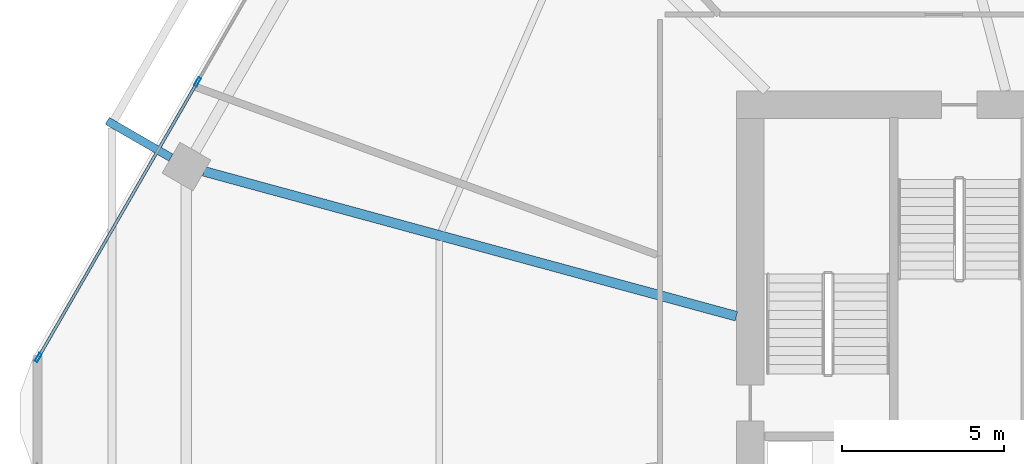
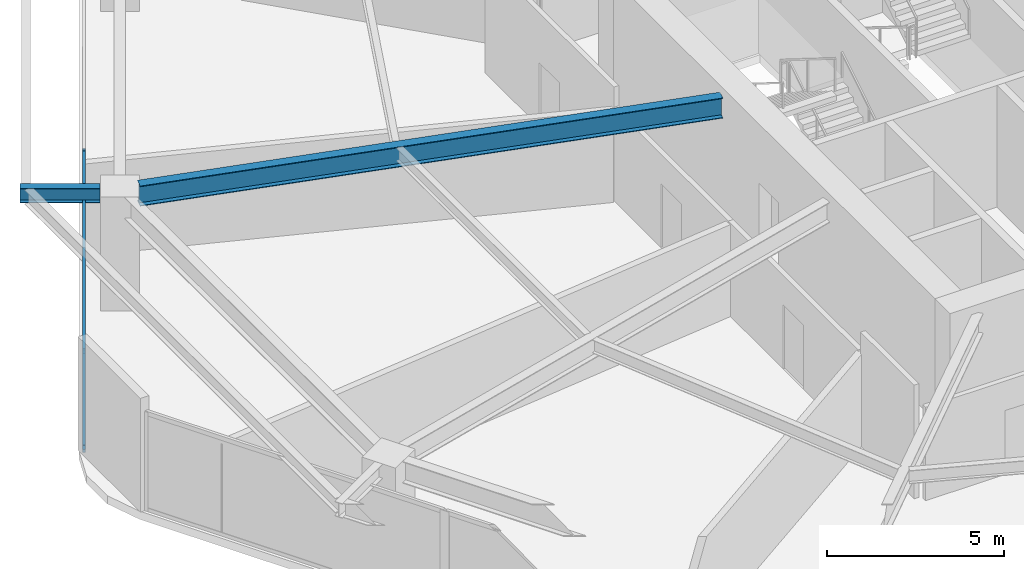
# One storey, part 13 of 28: 4 members, 2 beams, 1 element without a shape of its own.
"""IFC4 building model written with IfcOpenShell, lengths in metres."""

from ifc_helpers import new_model, si_unit, direction, frame, origin, origin_2d, place, context, subcontext, project, spatial, hollow_rectangle, i_section, extrude, material, material_profile, profile_set, type_object, element, aggregate, save


model = new_model("IFC4")

# Units and contexts
model_context = context("Model", 3, precision=1e-05, world=origin(), true_north=direction((0.0, 1.0)))
body_context = subcontext(model_context, "Body", "Model", "MODEL_VIEW")
ifc_project = project(units=[si_unit("LENGTHUNIT", "METRE"), si_unit("AREAUNIT", "SQUARE_METRE"), si_unit("VOLUMEUNIT", "CUBIC_METRE"), si_unit("PLANEANGLEUNIT", "RADIAN"), si_unit("MASSUNIT", "GRAM", prefix="KILO")], contexts=[model_context])

# Site, building, storey
site_placement = place(None, origin())
site = spatial("IfcSite", under=ifc_project, at=site_placement, CompositionType="ELEMENT")
building_placement = place(site_placement, origin())
building = spatial("IfcBuilding", under=site, at=building_placement, Name="Zuhravey Tower", CompositionType="ELEMENT")
storey_placement = place(building_placement, frame((0.0, 0.0, 79.199951171875)))
storey = spatial("IfcBuildingStorey", under=building, at=storey_placement, Name="L19", CompositionType="ELEMENT", Elevation=79.199951171875)

# Curtain wall, members
ifc_material_1 = material(Name="Thermally broken anodised aluminium", Category="aluminium")
curtain_wall_type = type_object("IfcCurtainWallType", Name="School Low-E Unitised Curtain Wall CW1", PredefinedType="NOTDEFINED", material=ifc_material_1)
curtain_wall_placement = place(storey_placement, origin())
curtain_wall = element("IfcCurtainWall", 1, at=curtain_wall_placement, inside=storey, type_object=curtain_wall_type, Name="L19 CW1 CW-L19-F3-1", PredefinedType="NOTDEFINED")
ifc_material_2 = material(Name="Anodised aluminium", Category="aluminium")
ifc_material_profile_1 = material_profile(ifc_material_2, hollow_rectangle(XDim=0.090087890625, YDim=0.284912109375, WallThickness=0.0048828125, at=origin_2d()), Name="ALU-RHS-90x285x5")
ifc_profile_set_1 = profile_set([ifc_material_profile_1], Name="Anodised aluminium")
member_type_1 = type_object("IfcMemberType", Name="Curtain-Wall Mullion 90x180", PredefinedType="MULLION", material=ifc_profile_set_1)
member_1_placement = place(storey_placement, frame((3.5439453125, 33.701416015625, 0.0), z_axis=(0.0, 0.0, 1.0), x_axis=(-0.86602552265, 0.499999794119, 0.0)))
member_1 = element("IfcMember", 2, at=member_1_placement, type_object=member_type_1, Name="CW1 mullion 1", PredefinedType="MULLION", context=body_context, shape_type="SweptSolid", body=[
    extrude(hollow_rectangle(XDim=0.090087890625, YDim=0.284912109375, WallThickness=0.0048828125, at=origin_2d()), origin(), (0.0, 0.0, 1.0), 3.420166015625),
])
member_2_placement = place(storey_placement, frame((8.45458984375, 42.20703125, 0.0), z_axis=(0.0, 0.0, 1.0), x_axis=(-0.86602552265, 0.499999794119, 0.0)))
member_2 = element("IfcMember", 3, at=member_2_placement, type_object=member_type_1, Name="CW1 mullion 2", PredefinedType="MULLION", context=body_context, shape_type="SweptSolid", body=[
    extrude(hollow_rectangle(XDim=0.090087890625, YDim=0.284912109375, WallThickness=0.0048828125, at=origin_2d()), origin(), (0.0, 0.0, 1.0), 3.420166015625),
])
ifc_material_profile_2 = material_profile(ifc_material_2, hollow_rectangle(XDim=0.090087890625, YDim=0.14990234375, WallThickness=0.0048828125, at=origin_2d()), Name="ALU-RHS-90x150x5")
ifc_profile_set_2 = profile_set([ifc_material_profile_2], Name="Anodised aluminium")
member_type_2 = type_object("IfcMemberType", Name="Curtain-Wall Transom 90x150", PredefinedType="USERDEFINED", material=ifc_profile_set_2)
member_3_placement = place(storey_placement, frame((3.56640625, 33.740478515625, 0.045166015625), z_axis=(0.500008393077, 0.866020557985, 0.0), x_axis=(-0.866020557985, 0.500008393077, 0.0)))
member_3 = element("IfcMember", 4, at=member_3_placement, type_object=member_type_2, Name="CW1 transom 1.1", ObjectType="TRANSOM", PredefinedType="USERDEFINED", context=body_context, shape_type="SweptSolid", body=[
    extrude(hollow_rectangle(XDim=0.090087890625, YDim=0.14990234375, WallThickness=0.0048828125, at=origin_2d()), origin(), (0.0, 0.0, 1.0), 9.731201171875),
])
member_4_placement = place(storey_placement, frame((3.56640625, 33.740478515625, 3.375), z_axis=(0.500008393077, 0.866020557985, 0.0), x_axis=(-0.866020557985, 0.500008393077, 0.0)))
member_4 = element("IfcMember", 5, at=member_4_placement, type_object=member_type_2, Name="CW1 transom 1.2", ObjectType="TRANSOM", PredefinedType="USERDEFINED", context=body_context, shape_type="SweptSolid", body=[
    extrude(hollow_rectangle(XDim=0.090087890625, YDim=0.14990234375, WallThickness=0.0048828125, at=origin_2d()), origin(), (0.0, 0.0, 1.0), 9.731201171875),
])
aggregate(curtain_wall, [member_1, member_2, member_3, member_4])

# Beams
ifc_material_3 = material(Name="Steel SM355", Category="steel")
ifc_material_profile_3 = material_profile(ifc_material_3, i_section(OverallWidth=0.300048828125, OverallDepth=0.699951171875, WebThickness=0.012939453125, FlangeThickness=0.02392578125, at=origin_2d()), Name="H-700x300x13x24")
ifc_profile_set_3 = profile_set([ifc_material_profile_3], Name="Steel SM355")
beam_type_1 = type_object("IfcBeamType", Name="Radial Primary Girder H700x300", PredefinedType="BEAM", material=ifc_profile_set_3)
beam_1_placement = place(storey_placement, frame((25.072021484375, 34.974609375, 3.570068359375), z_axis=(-0.964891112932, 0.262650224032, 0.0), x_axis=(-0.262650224032, -0.964891112932, 0.0)))
element("IfcBeam", 6, at=beam_1_placement, inside=storey, type_object=beam_type_1, Name="L19 RG1 BM-L19-RAD-06", PredefinedType="BEAM", context=body_context, shape_type="SweptSolid", body=[
    extrude(i_section(OverallWidth=0.300048828125, OverallDepth=0.699951171875, WebThickness=0.012939453125, FlangeThickness=0.02392578125, at=origin_2d()), origin(), (0.0, 0.0, 1.0), 17.025146484375),
])
ifc_material_profile_4 = material_profile(ifc_material_3, i_section(OverallWidth=0.25, OverallDepth=0.5, WebThickness=0.010009765625, FlangeThickness=0.01611328125, at=origin_2d()), Name="H-500x250x10x16")
ifc_profile_set_4 = profile_set([ifc_material_profile_4], Name="Steel SM355")
beam_type_2 = type_object("IfcBeamType", Name="Tray Cantilever Spandrel H500x250", PredefinedType="SPANDREL", material=ifc_profile_set_4)
beam_2_placement = place(storey_placement, frame((7.631103515625, 39.86865234375, 3.670166015625), z_axis=(-0.866013342106, 0.500020890858, 0.0), x_axis=(-0.500020890858, -0.866013342106, 0.0)))
element("IfcBeam", 7, at=beam_2_placement, inside=storey, type_object=beam_type_2, Name="L19 Sky-Tray Cantilever Arm TSB1-R06", PredefinedType="SPANDREL", context=body_context, shape_type="SweptSolid", body=[
    extrude(i_section(OverallWidth=0.25, OverallDepth=0.5, WebThickness=0.010009765625, FlangeThickness=0.01611328125, at=origin_2d()), origin(), (0.0, 0.0, 1.0), 2.26611328125),
])

save(model, "model.ifc")
